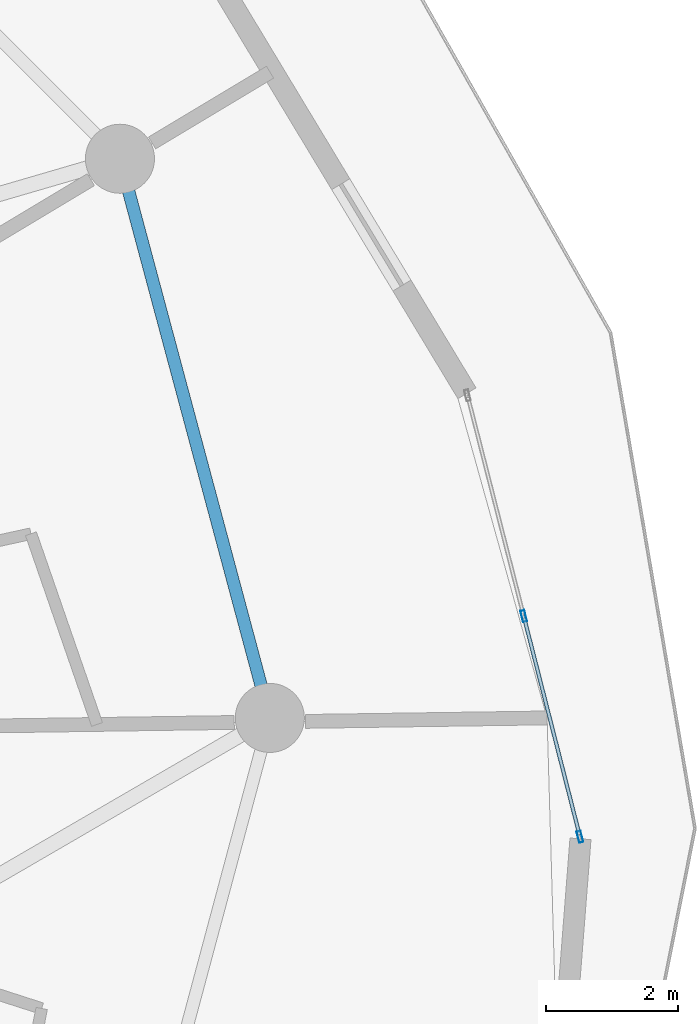
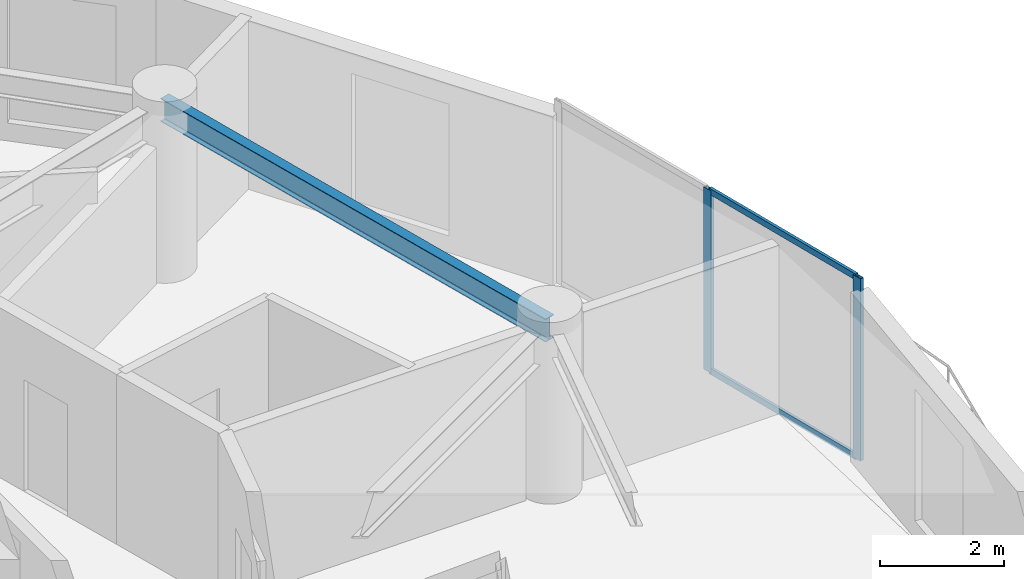
# One storey, part 13 of 25: 4 members, 1 beam, 1 element without a shape of its own.
"""IFC4 building model written with IfcOpenShell, lengths in metres."""

from ifc_helpers import new_model, si_unit, direction, frame, origin, origin_2d, place, context, subcontext, project, spatial, hollow_rectangle, i_section, extrude, source, transform, mapped, material, layer, layer_set, material_profile, profile_set, type_object, element, aggregate, save


model = new_model("IFC4")

# Units and contexts
model_context = context("Model", 3, precision=1e-05, world=origin(), true_north=direction((0.0, 1.0)))
body_context = subcontext(model_context, "Body", "Model", "MODEL_VIEW")
ifc_project = project(units=[si_unit("LENGTHUNIT", "METRE"), si_unit("AREAUNIT", "SQUARE_METRE"), si_unit("VOLUMEUNIT", "CUBIC_METRE"), si_unit("PLANEANGLEUNIT", "RADIAN"), si_unit("MASSUNIT", "GRAM", prefix="KILO")], contexts=[model_context])

# Site, building, storey
site_placement = place(None, origin())
site = spatial("IfcSite", under=ifc_project, at=site_placement, CompositionType="ELEMENT")
building_placement = place(site_placement, origin())
building = spatial("IfcBuilding", under=site, at=building_placement, Name="Solvirekh Grand Hotel", CompositionType="ELEMENT")
storey_placement = place(building_placement, frame((0.0, 0.0, 120.60009765625)))
storey = spatial("IfcBuildingStorey", under=building, at=storey_placement, Name="L30", CompositionType="ELEMENT", Elevation=120.60009765625)

# Beam
ifc_material_1 = material(Name="Steel S355", Category="steel")
ifc_material_profile_1 = material_profile(ifc_material_1, i_section(OverallWidth=0.18994140625, OverallDepth=0.45703125, WebThickness=0.009033203125, FlangeThickness=0.013916015625, FilletRadius=0.012939453125, at=origin_2d()), Name="W460X74")
ifc_profile_set_1 = profile_set([ifc_material_profile_1], Name="Steel S355")
beam_type = type_object("IfcBeamType", Name="Spandrel_Ring_W460", PredefinedType="SPANDREL", material=ifc_profile_set_1)
beam_placement = place(storey_placement, frame((17.0, 0.0, 3.121826171875), z_axis=(-0.258872908946, 0.965911391906, 0.0), x_axis=(-0.965911391906, -0.258872908946, 0.0)))
element("IfcBeam", 1, at=beam_placement, inside=storey, type_object=beam_type, Name="L30 perimeter spandrel beam 1", PredefinedType="SPANDREL", context=body_context, shape_type="SweptSolid", body=[
    extrude(i_section(OverallWidth=0.18994140625, OverallDepth=0.45703125, WebThickness=0.009033203125, FlangeThickness=0.013916015625, FilletRadius=0.012939453125, at=origin_2d()), origin(), (0.0, 0.0, 1.0), 8.800048828125),
])

# Curtain wall, members
ifc_material_2 = material(Name="Anodized Bronze Aluminium 6063-T6", Category="aluminium")
ifc_layer = layer(ifc_material_2, 0.175048828125)
ifc_layer_set = layer_set([ifc_layer], Name="Anodized Bronze Aluminium 6063-T6")
curtain_wall_type = type_object("IfcCurtainWallType", Name="CW_Sys3_MidZoneFlushBronzeCW", PredefinedType="NOTDEFINED", material=ifc_layer_set)
curtain_wall_placement = place(storey_placement, origin())
curtain_wall = element("IfcCurtainWall", 2, at=curtain_wall_placement, inside=storey, type_object=curtain_wall_type, Name="L30 unitised bronze-glass curtain wall CW-L30-C03", PredefinedType="NOTDEFINED")
ifc_material_profile_2 = material_profile(ifc_material_2, hollow_rectangle(XDim=0.06494140625, YDim=0.175048828125, WallThickness=0.0048828125, at=origin_2d()), Name="ALU RHS 175X65X5")
ifc_profile_set_2 = profile_set([ifc_material_profile_2], Name="Anodized Bronze Aluminium 6063-T6")
member_type_1 = type_object("IfcMemberType", Name="CWMullion_Sys3", PredefinedType="MULLION", material=ifc_profile_set_2)
shared_shape_1 = source(origin(), body_context, "Body", "SweptSolid", [
    extrude(hollow_rectangle(XDim=0.06494140625, YDim=0.175048828125, WallThickness=0.0048828125, at=origin_2d()), origin(), (0.0, 0.0, 1.0), 3.599853515625),
])
member_1_placement = place(storey_placement, frame((21.715087890625, -1.806396484375, 0.0), z_axis=(0.0, 0.0, 1.0), x_axis=(-0.969029976997, -0.24694311831, 0.0)))
member_1 = element("IfcMember", 3, at=member_1_placement, type_object=member_type_1, Name="U03 mullion 1", PredefinedType="MULLION", context=body_context, shape_type="MappedRepresentation", body=[
    mapped(shared_shape_1, transform((0.0, 0.0, 0.0), x_axis=(1.0, 0.0, 0.0), y_axis=(0.0, 1.0, 0.0), z_axis=(0.0, 0.0, 1.0), scale=1.0)),
])
member_2_placement = place(storey_placement, frame((20.860107421875, 1.548583984375, 0.0), z_axis=(0.0, 0.0, 1.0), x_axis=(-0.969029976997, -0.24694311831, 0.0)))
member_2 = element("IfcMember", 4, at=member_2_placement, type_object=member_type_1, Name="U03 mullion 2", PredefinedType="MULLION", context=body_context, shape_type="MappedRepresentation", body=[
    mapped(shared_shape_1, transform((0.0, 0.0, 0.0), x_axis=(1.0, 0.0, 0.0), y_axis=(0.0, 1.0, 0.0), z_axis=(0.0, 0.0, 1.0), scale=1.0)),
])
ifc_material_profile_3 = material_profile(ifc_material_2, hollow_rectangle(XDim=0.054931640625, YDim=0.1201171875, WallThickness=0.00390625, at=origin_2d()), Name="ALU RHS 120X55X4")
ifc_profile_set_3 = profile_set([ifc_material_profile_3], Name="Anodized Bronze Aluminium 6063-T6")
member_type_2 = type_object("IfcMemberType", Name="CWTransom_Sys3", PredefinedType="USERDEFINED", material=ifc_profile_set_3)
shared_shape_2 = source(origin(), body_context, "Body", "SweptSolid", [
    extrude(hollow_rectangle(XDim=0.054931640625, YDim=0.1201171875, WallThickness=0.00390625, at=origin_2d()), origin(), (0.0, 0.0, 1.0), 3.397216796875),
])
member_3_placement = place(storey_placement, frame((21.70703125, -1.77490234375, 0.02734375), z_axis=(-0.246997089425, 0.969016221647, 0.0), x_axis=(-0.969016221647, -0.246997089425, 0.0)))
member_3 = element("IfcMember", 5, at=member_3_placement, type_object=member_type_2, Name="U03 transom 1.1", ObjectType="TRANSOM", PredefinedType="USERDEFINED", context=body_context, shape_type="MappedRepresentation", body=[
    mapped(shared_shape_2, transform((0.0, 0.0, 0.0), x_axis=(1.0, 0.0, 0.0), y_axis=(0.0, 1.0, 0.0), z_axis=(0.0, 0.0, 1.0), scale=1.0)),
])
member_4_placement = place(storey_placement, frame((21.70703125, -1.77490234375, 3.572509765625), z_axis=(-0.246997089425, 0.969016221647, 0.0), x_axis=(-0.969016221647, -0.246997089425, 0.0)))
member_4 = element("IfcMember", 6, at=member_4_placement, type_object=member_type_2, Name="U03 transom 1.2", ObjectType="TRANSOM", PredefinedType="USERDEFINED", context=body_context, shape_type="MappedRepresentation", body=[
    mapped(shared_shape_2, transform((0.0, 0.0, 0.0), x_axis=(1.0, 0.0, 0.0), y_axis=(0.0, 1.0, 0.0), z_axis=(0.0, 0.0, 1.0), scale=1.0)),
])
aggregate(curtain_wall, [member_1, member_2, member_3, member_4])

save(model, "model.ifc")
